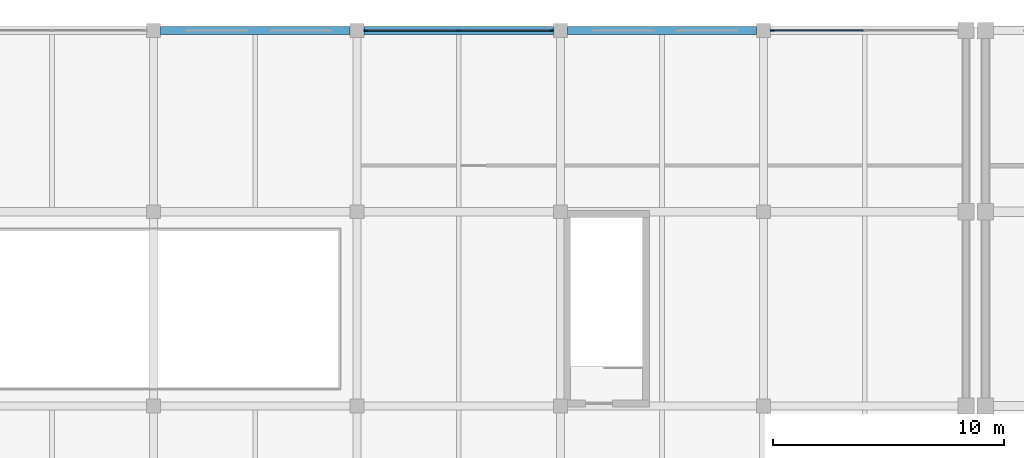
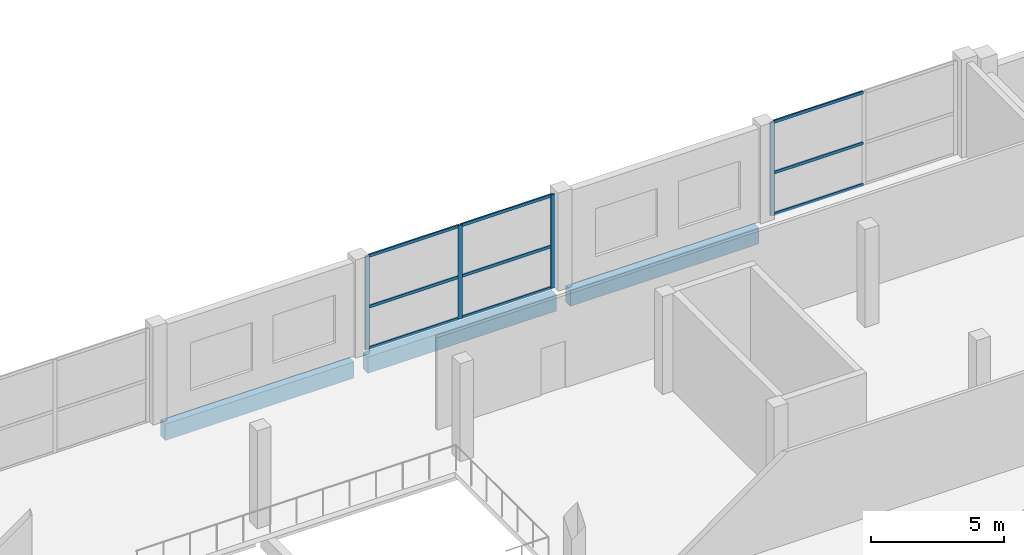
# One storey, part 8 of 18: 13 members, 3 beams, 2 elements without a shape of their own.
"""IFC4 building model written with IfcOpenShell, lengths in metres."""

from ifc_helpers import new_model, si_unit, direction, frame, origin, origin_2d, place, context, subcontext, project, spatial, rectangle, extrude, material, material_profile, profile_set, type_object, element, aggregate, save


model = new_model("IFC4")

# Units and contexts
model_context = context("Model", 3, precision=1e-05, world=origin(), true_north=direction((0.0, 1.0)))
body_context = subcontext(model_context, "Body", "Model", "MODEL_VIEW")
ifc_project = project(units=[si_unit("LENGTHUNIT", "METRE"), si_unit("AREAUNIT", "SQUARE_METRE"), si_unit("VOLUMEUNIT", "CUBIC_METRE"), si_unit("PLANEANGLEUNIT", "RADIAN"), si_unit("MASSUNIT", "GRAM", prefix="KILO")], contexts=[model_context])

# Site, building, storey
site_placement = place(None, origin())
site = spatial("IfcSite", under=ifc_project, at=site_placement, CompositionType="ELEMENT")
building_placement = place(site_placement, origin())
building = spatial("IfcBuilding", under=site, at=building_placement, Name="Brinegate Botanical Conservatory", CompositionType="ELEMENT")
storey_placement = place(building_placement, frame((0.0, 0.0, 14.699951171875)))
storey = spatial("IfcBuildingStorey", under=building, at=storey_placement, Name="L04", CompositionType="ELEMENT", Elevation=14.699951171875)

# Beams
ifc_material_1 = material(Name="Concrete C40/50", Category="concrete")
ifc_material_profile_1 = material_profile(ifc_material_1, rectangle(XDim=0.35009765625, YDim=0.75, at=origin_2d()), Name="RC SPN 350x750")
ifc_profile_set_1 = profile_set([ifc_material_profile_1], Name="Concrete C40/50")
beam_type = type_object("IfcBeamType", Name="Beam_SP-01", PredefinedType="SPANDREL", material=ifc_profile_set_1)
for number, where, z_axis, x_axis, name in (
    (1, (86.300048828125, 111.449951171875, -0.614990234375), (1.0, 0.0, 0.0), (0.0, 1.0, 0.0), "Beam SP-01 L04 P:11-12"),
    (2, (95.10009765625, 111.449951171875, -0.614990234375), (1.0, 0.0, 0.0), (0.0, 1.0, 0.0), "Beam SP-01 L04 P:12-13"),
):
    element("IfcBeam", number, at=place(storey_placement, frame(where, z_axis=z_axis, x_axis=x_axis)), inside=storey, type_object=beam_type, Name=name, PredefinedType="SPANDREL", context=body_context, shape_type="SweptSolid", body=[
        extrude(rectangle(XDim=0.35009765625, YDim=0.75, at=origin_2d()), origin(), (0.0, 0.0, 1.0), 8.199951171875),
    ])
beam_placement = place(storey_placement, frame((103.89990234375, 111.449951171875, -0.614990234375), z_axis=(1.0, 0.0, 0.0), x_axis=(0.0, 1.0, 0.0)))
element("IfcBeam", 3, at=beam_placement, inside=storey, type_object=beam_type, Name="Beam SP-01 L04 P:13-14", PredefinedType="SPANDREL", context=body_context, shape_type="SweptSolid", body=[
    extrude(rectangle(XDim=0.35009765625, YDim=0.75, at=origin_2d()), origin(), (0.0, 0.0, 1.0), 8.2001953125),
])

# Curtain wall, members
ifc_material_2 = material(Name="Thermally broken anodised aluminium AW-6063-T6", Category="aluminium")
curtain_wall_type = type_object("IfcCurtainWallType", Name="CW_CW-V3", PredefinedType="USERDEFINED", material=ifc_material_2)
curtain_wall_1_placement = place(storey_placement, origin())
curtain_wall_1 = element("IfcCurtainWall", 4, at=curtain_wall_1_placement, inside=storey, type_object=curtain_wall_type, Name="Visitor north factory curtain wall L04.6", ObjectType="FACTORY CURTAIN WALL", PredefinedType="USERDEFINED")
ifc_material_profile_2 = material_profile(ifc_material_2, rectangle(XDim=0.06494140625, YDim=0.179931640625, at=origin_2d()), Name="ALUM MULLION 65x180")
ifc_profile_set_2 = profile_set([ifc_material_profile_2], Name="Thermally broken anodised aluminium AW-6063-T6")
member_type_1 = type_object("IfcMemberType", Name="Member_ML-02", PredefinedType="MULLION", material=ifc_profile_set_2)
member_1_placement = place(storey_placement, frame((95.172607421875, 111.449951171875, 0.0), z_axis=(0.0, 0.0, 1.0), x_axis=(0.0, 1.0, 0.0)))
member_1 = element("IfcMember", 5, at=member_1_placement, type_object=member_type_1, Name="CW-V3 mullion 1", PredefinedType="MULLION", context=body_context, shape_type="SweptSolid", body=[
    extrude(rectangle(XDim=0.06494140625, YDim=0.179931640625, at=origin_2d()), origin(), (0.0, 0.0, 1.0), 4.300048828125),
])
member_2_placement = place(storey_placement, frame((99.199951171875, 111.449951171875, 0.0), z_axis=(0.0, 0.0, 1.0), x_axis=(0.0, 1.0, 0.0)))
member_2 = element("IfcMember", 6, at=member_2_placement, type_object=member_type_1, Name="CW-V3 mullion 2", PredefinedType="MULLION", context=body_context, shape_type="SweptSolid", body=[
    extrude(rectangle(XDim=0.06494140625, YDim=0.179931640625, at=origin_2d()), origin(), (0.0, 0.0, 1.0), 4.300048828125),
])
member_3_placement = place(storey_placement, frame((103.2275390625, 111.449951171875, 0.0), z_axis=(0.0, 0.0, 1.0), x_axis=(0.0, 1.0, 0.0)))
member_3 = element("IfcMember", 7, at=member_3_placement, type_object=member_type_1, Name="CW-V3 mullion 3", PredefinedType="MULLION", context=body_context, shape_type="SweptSolid", body=[
    extrude(rectangle(XDim=0.06494140625, YDim=0.179931640625, at=origin_2d()), origin(), (0.0, 0.0, 1.0), 4.300048828125),
])

# Curtain wall, member
curtain_wall_2_placement = place(storey_placement, origin())
curtain_wall_2 = element("IfcCurtainWall", 8, at=curtain_wall_2_placement, inside=storey, type_object=curtain_wall_type, Name="Visitor north factory curtain wall L04.8", ObjectType="FACTORY CURTAIN WALL", PredefinedType="USERDEFINED")
member_4_placement = place(storey_placement, frame((112.7724609375, 111.449951171875, 0.0), z_axis=(0.0, 0.0, 1.0), x_axis=(0.0, 1.0, 0.0)))
member_4 = element("IfcMember", 9, at=member_4_placement, type_object=member_type_1, Name="CW-V3 mullion 1", PredefinedType="MULLION", context=body_context, shape_type="SweptSolid", body=[
    extrude(rectangle(XDim=0.06494140625, YDim=0.179931640625, at=origin_2d()), origin(), (0.0, 0.0, 1.0), 4.300048828125),
])

# Member
ifc_material_profile_3 = material_profile(ifc_material_2, rectangle(XDim=0.06494140625, YDim=0.135009765625, at=origin_2d()), Name="ALUM TRANSOM 65x135")
ifc_profile_set_3 = profile_set([ifc_material_profile_3], Name="Thermally broken anodised aluminium AW-6063-T6")
member_type_2 = type_object("IfcMemberType", Name="Member_TR-02", PredefinedType="USERDEFINED", material=ifc_profile_set_3)
member_5_placement = place(storey_placement, frame((95.205078125, 111.449951171875, 0.032470703125), z_axis=(1.0, 0.0, 0.0), x_axis=(0.0, 1.0, 0.0)))
member_5 = element("IfcMember", 10, at=member_5_placement, type_object=member_type_2, Name="CW-V3 transom 1.1", ObjectType="TRANSOM", PredefinedType="USERDEFINED", context=body_context, shape_type="SweptSolid", body=[
    extrude(rectangle(XDim=0.06494140625, YDim=0.135009765625, at=origin_2d()), origin(), (0.0, 0.0, 1.0), 3.96240234375),
])

member_6_placement = place(storey_placement, frame((95.205078125, 111.449951171875, 1.93505859375), z_axis=(1.0, 0.0, 0.0), x_axis=(0.0, 1.0, 0.0)))
member_6 = element("IfcMember", 11, at=member_6_placement, type_object=member_type_2, Name="CW-V3 transom 1.2", ObjectType="TRANSOM", PredefinedType="USERDEFINED", context=body_context, shape_type="SweptSolid", body=[
    extrude(rectangle(XDim=0.06494140625, YDim=0.135009765625, at=origin_2d()), origin(), (0.0, 0.0, 1.0), 3.96240234375),
])

member_7_placement = place(storey_placement, frame((95.205078125, 111.449951171875, 4.267578125), z_axis=(1.0, 0.0, 0.0), x_axis=(0.0, 1.0, 0.0)))
member_7 = element("IfcMember", 12, at=member_7_placement, type_object=member_type_2, Name="CW-V3 transom 1.3", ObjectType="TRANSOM", PredefinedType="USERDEFINED", context=body_context, shape_type="SweptSolid", body=[
    extrude(rectangle(XDim=0.06494140625, YDim=0.135009765625, at=origin_2d()), origin(), (0.0, 0.0, 1.0), 3.96240234375),
])

member_8_placement = place(storey_placement, frame((99.232421875, 111.449951171875, 0.032470703125), z_axis=(1.0, 0.0, 0.0), x_axis=(0.0, 1.0, 0.0)))
member_8 = element("IfcMember", 13, at=member_8_placement, type_object=member_type_2, Name="CW-V3 transom 2.1", ObjectType="TRANSOM", PredefinedType="USERDEFINED", context=body_context, shape_type="SweptSolid", body=[
    extrude(rectangle(XDim=0.06494140625, YDim=0.135009765625, at=origin_2d()), origin(), (0.0, 0.0, 1.0), 3.962646484375),
])

member_9_placement = place(storey_placement, frame((99.232421875, 111.449951171875, 1.93505859375), z_axis=(1.0, 0.0, 0.0), x_axis=(0.0, 1.0, 0.0)))
member_9 = element("IfcMember", 14, at=member_9_placement, type_object=member_type_2, Name="CW-V3 transom 2.2", ObjectType="TRANSOM", PredefinedType="USERDEFINED", context=body_context, shape_type="SweptSolid", body=[
    extrude(rectangle(XDim=0.06494140625, YDim=0.135009765625, at=origin_2d()), origin(), (0.0, 0.0, 1.0), 3.962646484375),
])

member_10_placement = place(storey_placement, frame((99.232421875, 111.449951171875, 4.267578125), z_axis=(1.0, 0.0, 0.0), x_axis=(0.0, 1.0, 0.0)))
member_10 = element("IfcMember", 15, at=member_10_placement, type_object=member_type_2, Name="CW-V3 transom 2.3", ObjectType="TRANSOM", PredefinedType="USERDEFINED", context=body_context, shape_type="SweptSolid", body=[
    extrude(rectangle(XDim=0.06494140625, YDim=0.135009765625, at=origin_2d()), origin(), (0.0, 0.0, 1.0), 3.962646484375),
])

aggregate(curtain_wall_1, [member_1, member_2, member_3, member_5, member_6, member_7, member_8, member_9, member_10])

member_11_placement = place(storey_placement, frame((112.804931640625, 111.449951171875, 0.032470703125), z_axis=(1.0, 0.0, 0.0), x_axis=(0.0, 1.0, 0.0)))
member_11 = element("IfcMember", 16, at=member_11_placement, type_object=member_type_2, Name="CW-V3 transom 1.1", ObjectType="TRANSOM", PredefinedType="USERDEFINED", context=body_context, shape_type="SweptSolid", body=[
    extrude(rectangle(XDim=0.06494140625, YDim=0.135009765625, at=origin_2d()), origin(), (0.0, 0.0, 1.0), 3.91259765625),
])

member_12_placement = place(storey_placement, frame((112.804931640625, 111.449951171875, 1.93505859375), z_axis=(1.0, 0.0, 0.0), x_axis=(0.0, 1.0, 0.0)))
member_12 = element("IfcMember", 17, at=member_12_placement, type_object=member_type_2, Name="CW-V3 transom 1.2", ObjectType="TRANSOM", PredefinedType="USERDEFINED", context=body_context, shape_type="SweptSolid", body=[
    extrude(rectangle(XDim=0.06494140625, YDim=0.135009765625, at=origin_2d()), origin(), (0.0, 0.0, 1.0), 3.91259765625),
])

member_13_placement = place(storey_placement, frame((112.804931640625, 111.449951171875, 4.267578125), z_axis=(1.0, 0.0, 0.0), x_axis=(0.0, 1.0, 0.0)))
member_13 = element("IfcMember", 18, at=member_13_placement, type_object=member_type_2, Name="CW-V3 transom 1.3", ObjectType="TRANSOM", PredefinedType="USERDEFINED", context=body_context, shape_type="SweptSolid", body=[
    extrude(rectangle(XDim=0.06494140625, YDim=0.135009765625, at=origin_2d()), origin(), (0.0, 0.0, 1.0), 3.91259765625),
])

aggregate(curtain_wall_2, [member_4, member_11, member_12, member_13])

save(model, "model.ifc")
